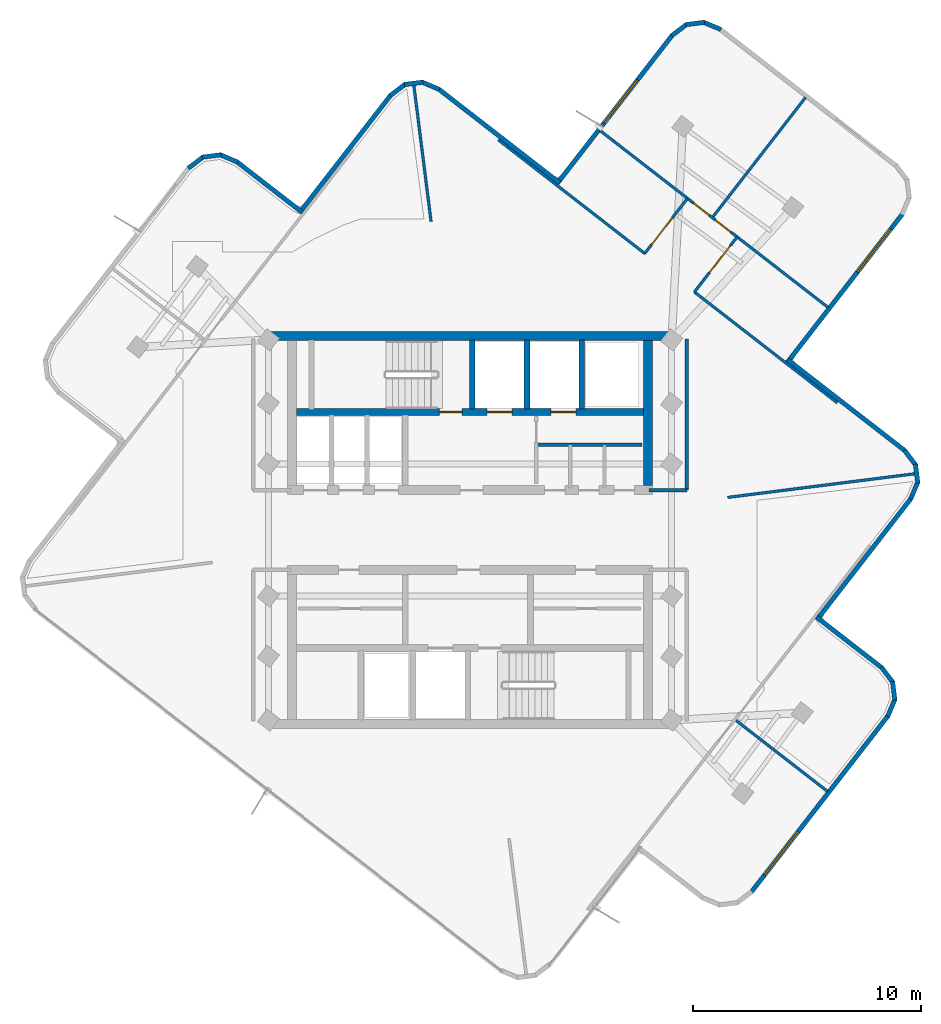
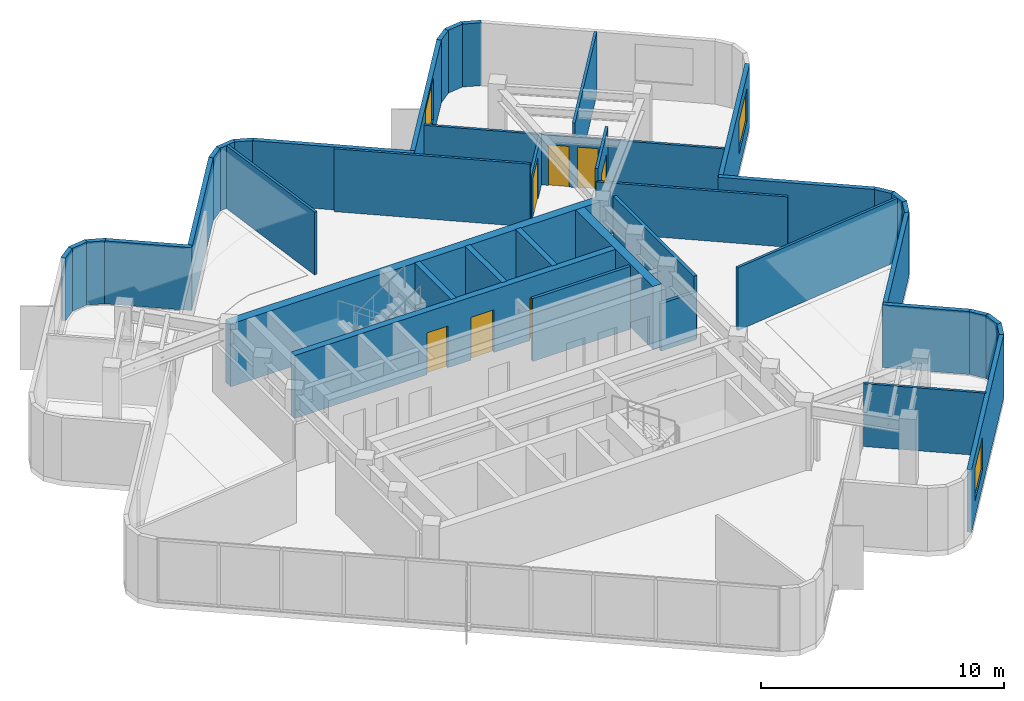
# One storey, part 7 of 10: 42 walls, 7 doors, 3 windows, 10 openings.
"""IFC4 building model written with IfcOpenShell, lengths in metres."""

import ifcopenshell
import ifcopenshell.guid

model = None  # the IFC model being written
_history = None  # IfcOwnerHistory: only IFC2X3 demands one
_inside = {}  # id of a spatial element -> (the spatial element, [elements in it])
_under = {}  # id of a project, library or spatial element -> (it, [spatial elements below it])
_declared = {}  # id of a project -> (the project, [libraries it declares])
_typed = {}  # id of a type object -> (the type object, [elements of that type])
_made_of = {}  # id of a material, layer set ... -> (it, [elements and type objects made of it])


def new_model(schema):
    """Start an empty IFC model of exactly this schema.

    Asked for "IFC4X3", IfcOpenShell would pick the latest addendum, in which some entities
    have other attributes; the version numbers below select the first issue.
    IFC2X3 requires an IfcOwnerHistory on every rooted entity: one is made here for all.
    """
    global model, _history
    if schema == "IFC4X3":
        model = ifcopenshell.file(schema_version=(4, 3, 0, 0))
    else:
        model = ifcopenshell.file(schema=schema)
    _inside.clear()
    _under.clear()
    _declared.clear()
    _typed.clear()
    _made_of.clear()
    _history = None
    if model.schema == "IFC2X3":
        org = make("IfcOrganization", Name="unknown")
        user = make(
            "IfcPersonAndOrganization",
            ThePerson=make("IfcPerson", FamilyName="unknown"),
            TheOrganization=org,
        )
        app = make(
            "IfcApplication",
            ApplicationDeveloper=org,
            Version="unknown",
            ApplicationFullName="unknown",
            ApplicationIdentifier="unknown",
        )
        _history = make(
            "IfcOwnerHistory",
            OwningUser=user,
            OwningApplication=app,
            ChangeAction="ADDED",
            CreationDate=0,
        )
    return model


def make(cls, **values):
    """One entity of the class cls with the attributes given. An attribute that is None is left unset."""
    return model.create_entity(
        cls, **{name: value for name, value in values.items() if value is not None}
    )


def rooted(cls, **values):
    """An entity with a GlobalId (a new one), such as an element, a storey or a relation."""
    return make(cls, GlobalId=ifcopenshell.guid.new(), OwnerHistory=_history, **values)


def si_unit(unit_type, name, prefix=None):
    """IfcSIUnit, for example si_unit("LENGTHUNIT", "METRE", prefix="MILLI")."""
    return make("IfcSIUnit", UnitType=unit_type, Prefix=prefix, Name=name)


def assignment(units):
    """IfcUnitAssignment: the units of a project."""
    return None if units is None else make("IfcUnitAssignment", Units=units)


def point(xyz):
    """IfcCartesianPoint."""
    return None if xyz is None else make("IfcCartesianPoint", Coordinates=xyz)


def direction(xyz):
    """IfcDirection."""
    return None if xyz is None else make("IfcDirection", DirectionRatios=xyz)


def frame(location, z_axis=None, x_axis=None):
    """IfcAxis2Placement3D, a coordinate frame: its origin and axes. An axis left out is left unset."""
    return make(
        "IfcAxis2Placement3D",
        Location=point(location),
        Axis=direction(z_axis),
        RefDirection=direction(x_axis),
    )


def frame_2d(location, x_axis=None):
    """IfcAxis2Placement2D, a coordinate frame in the plane: its origin and x axis."""
    return make(
        "IfcAxis2Placement2D", Location=point(location), RefDirection=direction(x_axis)
    )


def origin():
    """The frame at (0, 0, 0) with its axes left unset."""
    return frame((0.0, 0.0, 0.0))


def place(relative_to, where):
    """IfcLocalPlacement: puts the frame where relative to a parent placement (None: the world)."""
    return make(
        "IfcLocalPlacement", PlacementRelTo=relative_to, RelativePlacement=where
    )


def context(
    kind, dimensions, precision=None, world=None, true_north=None, identifier=None
):
    """IfcGeometricRepresentationContext, for example the 3D "Model" context."""
    return make(
        "IfcGeometricRepresentationContext",
        ContextIdentifier=identifier,
        ContextType=kind,
        CoordinateSpaceDimension=dimensions,
        Precision=precision,
        WorldCoordinateSystem=world,
        TrueNorth=true_north,
    )


def subcontext(parent, identifier, kind, view, scale=None):
    """IfcGeometricRepresentationSubContext, for example "Body" below "Model"."""
    return make(
        "IfcGeometricRepresentationSubContext",
        ContextIdentifier=identifier,
        ContextType=kind,
        ParentContext=parent,
        TargetScale=scale,
        TargetView=view,
    )


def project(units=None, contexts=None):
    """IfcProject with its units and contexts."""
    return rooted(
        "IfcProject",
        Name="project",
        RepresentationContexts=contexts,
        UnitsInContext=assignment(units),
    )


def spatial(cls, under=None, at=None, **own):
    """A site, building, storey or space (cls), placed at a placement, below another one or the project."""
    s = rooted(cls, ObjectPlacement=at, **own)
    if under is not None:
        _under.setdefault(under.id(), (under, []))[1].append(s)
    return s


def profile(cls, at=None, kind="AREA", **sizes):
    """A parametric profile (cls). Its sizes go by their IFC names, for example OverallWidth=200.0."""
    return make(cls, ProfileType=kind, Position=at, **sizes)


def rectangle(**sizes):
    """IfcRectangleProfileDef."""
    return profile("IfcRectangleProfileDef", **sizes)


def extrude(swept, where, along, depth):
    """IfcExtrudedAreaSolid: the profile swept, set in the frame where, extruded along a direction by depth."""
    return make(
        "IfcExtrudedAreaSolid",
        SweptArea=swept,
        Position=where,
        ExtrudedDirection=direction(along),
        Depth=depth,
    )


def shape(context_of_items, identifier, shape_type, items):
    """IfcShapeRepresentation: the items that make up one representation, for example the "Body"."""
    return make(
        "IfcShapeRepresentation",
        ContextOfItems=context_of_items,
        RepresentationIdentifier=identifier,
        RepresentationType=shape_type,
        Items=items,
    )


def material(Name=None, Category=None):
    """IfcMaterial."""
    return make("IfcMaterial", Name=Name, Category=Category)


def layer(
    of_material, thickness, ventilated=None, Name=None, Category=None, Priority=None
):
    """IfcMaterialLayer: one layer of a wall or slab, of a material (None: an air gap)."""
    return make(
        "IfcMaterialLayer",
        Material=of_material,
        LayerThickness=thickness,
        IsVentilated=ventilated,
        Name=Name,
        Category=Category,
        Priority=Priority,
    )


def layer_set(layers, Name=None):
    """IfcMaterialLayerSet."""
    return make("IfcMaterialLayerSet", MaterialLayers=layers, LayerSetName=Name)


def made_of(thing, what):
    """Note that an element or type object is made of a material, layer set ...; save() writes the relation."""
    if what is not None:
        _made_of.setdefault(what.id(), (what, []))[1].append(thing)
    return thing


def type_object(cls, material=None, **own):
    """A type object (cls), such as IfcWallType, which elements share."""
    return made_of(rooted(cls, **own), material)


def element(
    cls,
    number,
    at=None,
    inside=None,
    cuts=None,
    type_object=None,
    material=None,
    context=None,
    identifier="Body",
    shape_type=None,
    held_by="IfcProductDefinitionShape",
    body=None,
    shapes=None,
    **own,
):
    """One element of the class cls, such as IfcWall. Its Tag is "e" and its number.

    at: its placement. inside: the storey or other place that contains it. cuts: it is an
    opening in that element (IfcRelVoidsElement). A single representation is given by context,
    identifier, shape_type and body (its items); several are given by shapes. held_by: the class
    of the entity that holds the representations. save() writes the other relations.
    """
    e = rooted(cls, Tag="e%d" % number, ObjectPlacement=at, **own)
    if body is not None:
        shapes = [shape(context, identifier, shape_type, body)]
    if shapes is not None:
        e.Representation = make(held_by, Representations=shapes)
    if inside is not None:
        _inside.setdefault(inside.id(), (inside, []))[1].append(e)
    if cuts is not None:
        rooted(
            "IfcRelVoidsElement", RelatingBuildingElement=cuts, RelatedOpeningElement=e
        )
    if type_object is not None:
        _typed.setdefault(type_object.id(), (type_object, []))[1].append(e)
    return made_of(e, material)


def fill(opening, filler):
    """IfcRelFillsElement: the door or window that sits in an opening."""
    return rooted(
        "IfcRelFillsElement",
        RelatingOpeningElement=opening,
        RelatedBuildingElement=filler,
    )


def aggregate(whole, parts):
    """IfcRelAggregates: a whole, such as a stair, and the parts it consists of."""
    return rooted("IfcRelAggregates", RelatingObject=whole, RelatedObjects=parts)


def save(model, path):
    """Write the relations noted so far, then the file.

    IfcRelAggregates (storeys below a building ...), IfcRelContainedInSpatialStructure (elements
    in a storey), IfcRelDefinesByType, IfcRelAssociatesMaterial and IfcRelDeclares: one each for
    every whole, place, type object, material and project.
    """
    for whole, parts in _under.values():
        aggregate(whole, parts)
    for where, things in _inside.values():
        rooted(
            "IfcRelContainedInSpatialStructure",
            RelatedElements=things,
            RelatingStructure=where,
        )
    for kind, things in _typed.values():
        rooted("IfcRelDefinesByType", RelatedObjects=things, RelatingType=kind)
    for what, things in _made_of.values():
        rooted("IfcRelAssociatesMaterial", RelatedObjects=things, RelatingMaterial=what)
    for by, libraries in _declared.values():
        rooted("IfcRelDeclares", RelatingContext=by, RelatedDefinitions=libraries)
    model.write(path)


model = new_model("IFC4")

# Units and contexts
model_context = context("Model", 3, precision=1e-05, world=origin(), true_north=direction((0.0, 1.0)))
body_context = subcontext(model_context, "Body", "Model", "MODEL_VIEW")
ifc_project = project(units=[si_unit("LENGTHUNIT", "METRE"), si_unit("AREAUNIT", "SQUARE_METRE"), si_unit("VOLUMEUNIT", "CUBIC_METRE"), si_unit("PLANEANGLEUNIT", "RADIAN"), si_unit("MASSUNIT", "GRAM", prefix="KILO")], contexts=[model_context])

# Site, building, storey
site_placement = place(None, origin())
site = spatial("IfcSite", under=ifc_project, at=site_placement, CompositionType="ELEMENT")
building_placement = place(site_placement, origin())
building = spatial("IfcBuilding", under=site, at=building_placement, Name="Solmarez Civic Tower", CompositionType="ELEMENT")
storey_placement = place(building_placement, frame((0.0, 0.0, 257.760009765625)))
storey = spatial("IfcBuildingStorey", under=building, at=storey_placement, Name="L69", CompositionType="ELEMENT", Elevation=257.760009765625)

# Walls
ifc_material_1 = material(Name="Concrete C50/60", Category="concrete")
ifc_layer_1 = layer(ifc_material_1, 0.39990234375)
ifc_layer_set_1 = layer_set([ifc_layer_1], Name="Concrete C50/60")
wall_type_1 = type_object("IfcWallType", Name="WALL-CORE-400", PredefinedType="SHEAR", material=ifc_layer_set_1)
wall_1_placement = place(storey_placement, frame((-8.780029296875, 8.510009765625, 0.0), z_axis=(0.0, 0.0, 1.0), x_axis=(1.0, 0.0, 0.0)))
element("IfcWall", 1, at=wall_1_placement, inside=storey, type_object=wall_type_1, Name="L69 Split-Core Structural Wall NCW-N-L69", PredefinedType="SHEAR", context=body_context, shape_type="SweptSolid", body=[
    extrude(rectangle(XDim=17.56005859375, YDim=0.39990234375, at=frame_2d((8.780029296875, 0.0))), origin(), (0.0, 0.0, 1.0), 3.159912109375),
])
wall_2_placement = place(storey_placement, frame((7.820068359375, 8.31005859375, 0.0), z_axis=(0.0, 0.0, 1.0), x_axis=(0.0, -1.0, 0.0)))
element("IfcWall", 2, at=wall_2_placement, inside=storey, type_object=wall_type_1, Name="L69 Split-Core Structural Wall NCW-E-L69", PredefinedType="SHEAR", context=body_context, shape_type="SweptSolid", body=[
    extrude(rectangle(XDim=6.360107421875, YDim=0.39990234375, at=frame_2d((3.18017578125, 0.0))), origin(), (0.0, 0.0, 1.0), 3.159912109375),
])
ifc_material_2 = material(Name="Precast concrete C40/50", Category="concrete")
ifc_layer_2 = layer(ifc_material_2, 0.199951171875)
ifc_layer_set_2 = layer_set([ifc_layer_2], Name="Precast concrete C40/50")
wall_type_2 = type_object("IfcWallType", Name="WALL-EXT-200", PredefinedType="SOLIDWALL", material=ifc_layer_set_2)
wall_3_placement = place(storey_placement, frame((-12.3720703125, 15.876953125, 0.0), z_axis=(0.0, 0.0, 1.0), x_axis=(0.796493049564, 0.60464768419, 0.0)))
element("IfcWall", 3, at=wall_3_placement, inside=storey, type_object=wall_type_2, Name="L69 Exterior Precast Wall 18", PredefinedType="SOLIDWALL", context=body_context, shape_type="SweptSolid", body=[
    extrude(rectangle(XDim=0.838623046875, YDim=0.199951171875, at=frame_2d((0.41943359375, 0.0))), origin(), (0.0, 0.0, 1.0), 3.159912109375),
])
wall_4_placement = place(storey_placement, frame((-11.7490234375, 16.365966796875, 0.0), z_axis=(0.0, 0.0, 1.0), x_axis=(0.992182038023, 0.124799052175, 0.0)))
element("IfcWall", 4, at=wall_4_placement, inside=storey, type_object=wall_type_2, Name="L69 Exterior Precast Wall 19", PredefinedType="SOLIDWALL", context=body_context, shape_type="SweptSolid", body=[
    extrude(rectangle(XDim=0.825439453125, YDim=0.199951171875, at=frame_2d((0.41259765625, 0.0))), origin(), (0.0, 0.0, 1.0), 3.159912109375),
])
wall_5_placement = place(storey_placement, frame((-10.97802734375, 16.47607421875, 0.0), z_axis=(0.0, 0.0, 1.0), x_axis=(0.921328331513, -0.388785423532, 0.0)))
element("IfcWall", 5, at=wall_5_placement, inside=storey, type_object=wall_type_2, Name="L69 Exterior Precast Wall 20", PredefinedType="SOLIDWALL", context=body_context, shape_type="SweptSolid", body=[
    extrude(rectangle(XDim=0.8388671875, YDim=0.199951171875, at=frame_2d((0.41943359375, 0.0))), origin(), (0.0, 0.0, 1.0), 3.159912109375),
])
wall_6_placement = place(storey_placement, frame((-10.248046875, 16.175048828125, 0.0), z_axis=(0.0, 0.0, 1.0), x_axis=(0.790239683444, -0.612797880797, 0.0)))
element("IfcWall", 6, at=wall_6_placement, inside=storey, type_object=wall_type_2, Name="L69 Exterior Precast Wall 21", PredefinedType="SOLIDWALL", context=body_context, shape_type="SweptSolid", body=[
    extrude(rectangle(XDim=3.640625, YDim=0.199951171875, at=frame_2d((1.8203125, 0.0))), origin(), (0.0, 0.0, 1.0), 3.159912109375),
])
wall_7_placement = place(storey_placement, frame((-7.48291015625, 13.929931640625, 0.0), z_axis=(0.0, 0.0, 1.0), x_axis=(0.612826373036, 0.790217588081, 0.0)))
element("IfcWall", 7, at=wall_7_placement, inside=storey, type_object=wall_type_2, Name="L69 Exterior Precast Wall 24", PredefinedType="SOLIDWALL", context=body_context, shape_type="SweptSolid", body=[
    extrude(rectangle(XDim=6.54150390625, YDim=0.199951171875, at=frame_2d((3.270751953125, 0.0))), origin(), (0.0, 0.0, 1.0), 3.159912109375),
])
wall_8_placement = place(storey_placement, frame((-3.509033203125, 19.06396484375, 0.0), z_axis=(0.0, 0.0, 1.0), x_axis=(0.797053904317, 0.603908166539, 0.0)))
element("IfcWall", 8, at=wall_8_placement, inside=storey, type_object=wall_type_2, Name="L69 Exterior Precast Wall 25", PredefinedType="SOLIDWALL", context=body_context, shape_type="SweptSolid", body=[
    extrude(rectangle(XDim=0.838134765625, YDim=0.199951171875, at=frame_2d((0.4189453125, 0.0))), origin(), (0.0, 0.0, 1.0), 3.159912109375),
])
wall_9_placement = place(storey_placement, frame((-2.885986328125, 19.552001953125, 0.0), z_axis=(0.0, 0.0, 1.0), x_axis=(0.992182038023, 0.124799052175, 0.0)))
element("IfcWall", 9, at=wall_9_placement, inside=storey, type_object=wall_type_2, Name="L69 Exterior Precast Wall 26", PredefinedType="SOLIDWALL", context=body_context, shape_type="SweptSolid", body=[
    extrude(rectangle(XDim=0.825439453125, YDim=0.199951171875, at=frame_2d((0.41259765625, 0.0))), origin(), (0.0, 0.0, 1.0), 3.159912109375),
])
wall_10_placement = place(storey_placement, frame((-2.114990234375, 19.662109375, 0.0), z_axis=(0.0, 0.0, 1.0), x_axis=(0.921569528133, -0.388213349612, 0.0)))
element("IfcWall", 10, at=wall_10_placement, inside=storey, type_object=wall_type_2, Name="L69 Exterior Precast Wall 27", PredefinedType="SOLIDWALL", context=body_context, shape_type="SweptSolid", body=[
    extrude(rectangle(XDim=0.837646484375, YDim=0.199951171875, at=frame_2d((0.4189453125, 0.0))), origin(), (0.0, 0.0, 1.0), 3.159912109375),
])
wall_11_placement = place(storey_placement, frame((-1.385986328125, 19.362060546875, 0.0), z_axis=(0.0, 0.0, 1.0), x_axis=(0.790076990755, -0.613007625303, 0.0)))
element("IfcWall", 11, at=wall_11_placement, inside=storey, type_object=wall_type_2, Name="L69 Exterior Precast Wall 28", PredefinedType="SOLIDWALL", context=body_context, shape_type="SweptSolid", body=[
    extrude(rectangle(XDim=6.7421875, YDim=0.199951171875, at=frame_2d((3.37109375, 0.0))), origin(), (0.0, 0.0, 1.0), 3.159912109375),
])

# Wall, opening, window
wall_12_placement = place(storey_placement, frame((3.8291015625, 15.215087890625, 0.0), z_axis=(0.0, 0.0, 1.0), x_axis=(0.612910709336, 0.790152176724, 0.0)))
wall_12 = element("IfcWall", 12, at=wall_12_placement, inside=storey, type_object=wall_type_2, Name="L69 Exterior Precast Wall 31", PredefinedType="SOLIDWALL", context=body_context, shape_type="SweptSolid", body=[
    extrude(rectangle(XDim=8.24267578125, YDim=0.199951171875, at=frame_2d((4.121337890625, 0.0))), origin(), (0.0, 0.0, 1.0), 3.159912109375),
])
opening_1_placement = place(wall_12_placement, frame((3.35009765625, 0.0, 0.85009765625)))
opening_1 = element("IfcOpeningElement", 13, at=opening_1_placement, cuts=wall_12, Name="Opening W-02", PredefinedType="OPENING", context=body_context, shape_type="SweptSolid", body=[
    extrude(rectangle(XDim=2.39990234375, YDim=2.10009765625, at=frame_2d((1.199951171875, 1.050048828125))), frame((0.0, 0.10986328125, 0.0), z_axis=(0.0, -1.0, 0.0), x_axis=(1.0, 0.0, 0.0)), (0.0, 0.0, 1.0), 0.219970703125),
])
ifc_material_3 = material(Name="Solar Control Bronze-Tinted Insulating Glass", Category="glass")
window_type_1 = type_object("IfcWindowType", Name="WIN-2400X2100", PartitioningType="SINGLE_PANEL", PredefinedType="WINDOW", material=ifc_material_3)
window_1_placement = place(opening_1_placement, origin())
window_1 = element("IfcWindow", 14, at=window_1_placement, inside=storey, type_object=window_type_1, Name="L69 Exterior Facade Window 31", OverallHeight=2.10009765625, OverallWidth=2.39990234375, PartitioningType="SINGLE_PANEL", PredefinedType="WINDOW", context=body_context, shape_type="SweptSolid", body=[
    extrude(rectangle(XDim=2.39990234375, YDim=2.10009765625, at=frame_2d((1.199951171875, 1.050048828125))), frame((0.0, 0.030029296875, 0.0), z_axis=(0.0, -1.0, 0.0), x_axis=(1.0, 0.0, 0.0)), (0.0, 0.0, 1.0), 0.06005859375),
])
fill(opening_1, window_1)

# Walls
wall_13_placement = place(storey_placement, frame((8.845947265625, 21.693115234375, 0.0), z_axis=(0.0, 0.0, 1.0), x_axis=(0.796633253556, 0.604462951163, 0.0)))
element("IfcWall", 15, at=wall_13_placement, inside=storey, type_object=wall_type_2, Name="L69 Exterior Precast Wall 32", PredefinedType="SOLIDWALL", context=body_context, shape_type="SweptSolid", body=[
    extrude(rectangle(XDim=0.83837890625, YDim=0.199951171875, at=frame_2d((0.419189453125, 0.0))), origin(), (0.0, 0.0, 1.0), 3.159912109375),
])
wall_14_placement = place(storey_placement, frame((9.468994140625, 22.181884765625, 0.0), z_axis=(0.0, 0.0, 1.0), x_axis=(0.992163581644, 0.124945697241, 0.0)))
element("IfcWall", 16, at=wall_14_placement, inside=storey, type_object=wall_type_2, Name="L69 Exterior Precast Wall 33", PredefinedType="SOLIDWALL", context=body_context, shape_type="SweptSolid", body=[
    extrude(rectangle(XDim=0.824462890625, YDim=0.199951171875, at=frame_2d((0.412109375, 0.0))), origin(), (0.0, 0.0, 1.0), 3.159912109375),
])
wall_15_placement = place(storey_placement, frame((10.239013671875, 22.2919921875, 0.0), z_axis=(0.0, 0.0, 1.0), x_axis=(0.92184898946, -0.387549275101, 0.0)))
element("IfcWall", 17, at=wall_15_placement, inside=storey, type_object=wall_type_2, Name="L69 Exterior Precast Wall 34", PredefinedType="SOLIDWALL", context=body_context, shape_type="SweptSolid", body=[
    extrude(rectangle(XDim=0.83837890625, YDim=0.199951171875, at=frame_2d((0.419189453125, 0.0))), origin(), (0.0, 0.0, 1.0), 3.159912109375),
])

# Wall, opening, window
wall_16_placement = place(storey_placement, frame((18.9951171875, 13.883056640625, 0.0), z_axis=(0.0, 0.0, 1.0), x_axis=(-0.612894114019, -0.790165049215, 0.0)))
wall_16 = element("IfcWall", 18, at=wall_16_placement, inside=storey, type_object=wall_type_2, Name="L69 Exterior Precast Wall 39", PredefinedType="SOLIDWALL", context=body_context, shape_type="SweptSolid", body=[
    extrude(rectangle(XDim=8.2412109375, YDim=0.199951171875, at=frame_2d((4.12060546875, 0.0))), origin(), (0.0, 0.0, 1.0), 3.159912109375),
])
opening_2_placement = place(wall_16_placement, frame((0.85009765625, 0.0, 0.85009765625)))
opening_2 = element("IfcOpeningElement", 19, at=opening_2_placement, cuts=wall_16, Name="Opening W-10", PredefinedType="OPENING", context=body_context, shape_type="SweptSolid", body=[
    extrude(rectangle(XDim=2.39990234375, YDim=1.64990234375, at=frame_2d((1.199951171875, 0.824951171875))), frame((0.0, 0.10986328125, 0.0), z_axis=(0.0, -1.0, 0.0), x_axis=(1.0, 0.0, 0.0)), (0.0, 0.0, 1.0), 0.219970703125),
])
window_type_2 = type_object("IfcWindowType", Name="WIN-2400X1650", PartitioningType="SINGLE_PANEL", PredefinedType="WINDOW", material=ifc_material_3)
window_2_placement = place(opening_2_placement, origin())
window_2 = element("IfcWindow", 20, at=window_2_placement, inside=storey, type_object=window_type_2, Name="L69 Exterior Facade Window 39", OverallHeight=1.64990234375, OverallWidth=2.39990234375, PartitioningType="SINGLE_PANEL", PredefinedType="WINDOW", context=body_context, shape_type="SweptSolid", body=[
    extrude(rectangle(XDim=2.39990234375, YDim=1.64990234375, at=frame_2d((1.199951171875, 0.824951171875))), frame((0.0, 0.030029296875, 0.0), z_axis=(0.0, -1.0, 0.0), x_axis=(1.0, 0.0, 0.0)), (0.0, 0.0, 1.0), 0.06005859375),
])
fill(opening_2, window_2)

# Walls
wall_17_placement = place(storey_placement, frame((13.929931640625, 7.48291015625, 0.0), z_axis=(0.0, 0.0, 1.0), x_axis=(0.790217588081, -0.612826373036, 0.0)))
element("IfcWall", 21, at=wall_17_placement, inside=storey, type_object=wall_type_2, Name="L69 Exterior Precast Wall 42", PredefinedType="SOLIDWALL", context=body_context, shape_type="SweptSolid", body=[
    extrude(rectangle(XDim=6.54150390625, YDim=0.199951171875, at=frame_2d((3.270751953125, 0.0))), origin(), (0.0, 0.0, 1.0), 3.159912109375),
])
wall_18_placement = place(storey_placement, frame((19.06396484375, 3.509033203125, 0.0), z_axis=(0.0, 0.0, 1.0), x_axis=(0.603908166539, -0.797053904317, 0.0)))
element("IfcWall", 22, at=wall_18_placement, inside=storey, type_object=wall_type_2, Name="L69 Exterior Precast Wall 43", PredefinedType="SOLIDWALL", context=body_context, shape_type="SweptSolid", body=[
    extrude(rectangle(XDim=0.838134765625, YDim=0.199951171875, at=frame_2d((0.4189453125, 0.0))), origin(), (0.0, 0.0, 1.0), 3.159912109375),
])
wall_19_placement = place(storey_placement, frame((19.552001953125, 2.885986328125, 0.0), z_axis=(0.0, 0.0, 1.0), x_axis=(0.124799052175, -0.992182038023, 0.0)))
element("IfcWall", 23, at=wall_19_placement, inside=storey, type_object=wall_type_2, Name="L69 Exterior Precast Wall 44", PredefinedType="SOLIDWALL", context=body_context, shape_type="SweptSolid", body=[
    extrude(rectangle(XDim=0.825439453125, YDim=0.199951171875, at=frame_2d((0.41259765625, 0.0))), origin(), (0.0, 0.0, 1.0), 3.159912109375),
])
wall_20_placement = place(storey_placement, frame((19.662109375, 2.114990234375, 0.0), z_axis=(0.0, 0.0, 1.0), x_axis=(-0.388213349612, -0.921569528133, 0.0)))
element("IfcWall", 24, at=wall_20_placement, inside=storey, type_object=wall_type_2, Name="L69 Exterior Precast Wall 45", PredefinedType="SOLIDWALL", context=body_context, shape_type="SweptSolid", body=[
    extrude(rectangle(XDim=0.837646484375, YDim=0.199951171875, at=frame_2d((0.4189453125, 0.0))), origin(), (0.0, 0.0, 1.0), 3.159912109375),
])
wall_21_placement = place(storey_placement, frame((19.362060546875, 1.385986328125, 0.0), z_axis=(0.0, 0.0, 1.0), x_axis=(-0.613007625303, -0.790076990755, 0.0)))
element("IfcWall", 25, at=wall_21_placement, inside=storey, type_object=wall_type_2, Name="L69 Exterior Precast Wall 46", PredefinedType="SOLIDWALL", context=body_context, shape_type="SweptSolid", body=[
    extrude(rectangle(XDim=6.7421875, YDim=0.199951171875, at=frame_2d((3.37109375, 0.0))), origin(), (0.0, 0.0, 1.0), 3.159912109375),
])
wall_22_placement = place(storey_placement, frame((15.215087890625, -3.8291015625, 0.0), z_axis=(0.0, 0.0, 1.0), x_axis=(0.790311198889, -0.612705646221, 0.0)))
element("IfcWall", 26, at=wall_22_placement, inside=storey, type_object=wall_type_2, Name="L69 Exterior Precast Wall 49", PredefinedType="SOLIDWALL", context=body_context, shape_type="SweptSolid", body=[
    extrude(rectangle(XDim=3.642822265625, YDim=0.199951171875, at=frame_2d((1.8212890625, 0.0))), origin(), (0.0, 0.0, 1.0), 3.159912109375),
])
wall_23_placement = place(storey_placement, frame((18.05908203125, -6.02587890625, 0.0), z_axis=(0.0, 0.0, 1.0), x_axis=(0.603582833373, -0.797300296787, 0.0)))
element("IfcWall", 27, at=wall_23_placement, inside=storey, type_object=wall_type_2, Name="L69 Exterior Precast Wall 50", PredefinedType="SOLIDWALL", context=body_context, shape_type="SweptSolid", body=[
    extrude(rectangle(XDim=0.838134765625, YDim=0.199951171875, at=frame_2d((0.4189453125, 0.0))), origin(), (0.0, 0.0, 1.0), 3.159912109375),
])
wall_24_placement = place(storey_placement, frame((18.547119140625, -6.64892578125, 0.0), z_axis=(0.0, 0.0, 1.0), x_axis=(0.124507909692, -0.992218615238, 0.0)))
element("IfcWall", 28, at=wall_24_placement, inside=storey, type_object=wall_type_2, Name="L69 Exterior Precast Wall 51", PredefinedType="SOLIDWALL", context=body_context, shape_type="SweptSolid", body=[
    extrude(rectangle(XDim=0.825439453125, YDim=0.199951171875, at=frame_2d((0.41259765625, 0.0))), origin(), (0.0, 0.0, 1.0), 3.159912109375),
])
wall_25_placement = place(storey_placement, frame((18.656982421875, -7.419921875, 0.0), z_axis=(0.0, 0.0, 1.0), x_axis=(-0.387965780676, -0.921673777985, 0.0)))
element("IfcWall", 29, at=wall_25_placement, inside=storey, type_object=wall_type_2, Name="L69 Exterior Precast Wall 52", PredefinedType="SOLIDWALL", context=body_context, shape_type="SweptSolid", body=[
    extrude(rectangle(XDim=0.837646484375, YDim=0.199951171875, at=frame_2d((0.4189453125, 0.0))), origin(), (0.0, 0.0, 1.0), 3.159912109375),
])

# Wall, opening, window
wall_26_placement = place(storey_placement, frame((18.35693359375, -8.14892578125, 0.0), z_axis=(0.0, 0.0, 1.0), x_axis=(-0.612797548915, -0.790239940806, 0.0)))
wall_26 = element("IfcWall", 30, at=wall_26_placement, inside=storey, type_object=wall_type_2, Name="L69 Exterior Precast Wall 53", PredefinedType="SOLIDWALL", context=body_context, shape_type="SweptSolid", body=[
    extrude(rectangle(XDim=9.82373046875, YDim=0.199951171875, at=frame_2d((4.911865234375, 0.0))), origin(), (0.0, 0.0, 1.0), 3.159912109375),
])
opening_3_placement = place(wall_26_placement, frame((6.4619140625, 0.0, 0.85009765625)))
opening_3 = element("IfcOpeningElement", 31, at=opening_3_placement, cuts=wall_26, Name="Opening W-10", PredefinedType="OPENING", context=body_context, shape_type="SweptSolid", body=[
    extrude(rectangle(XDim=2.39990234375, YDim=1.64990234375, at=frame_2d((1.199951171875, 0.824951171875))), frame((0.0, 0.10986328125, 0.0), z_axis=(0.0, -1.0, 0.0), x_axis=(1.0, 0.0, 0.0)), (0.0, 0.0, 1.0), 0.219970703125),
])
window_3_placement = place(opening_3_placement, origin())
window_3 = element("IfcWindow", 32, at=window_3_placement, inside=storey, type_object=window_type_2, Name="L69 Exterior Facade Window 53", OverallHeight=1.64990234375, OverallWidth=2.39990234375, PartitioningType="SINGLE_PANEL", PredefinedType="WINDOW", context=body_context, shape_type="SweptSolid", body=[
    extrude(rectangle(XDim=2.39990234375, YDim=1.64990234375, at=frame_2d((1.199951171875, 0.824951171875))), frame((0.0, 0.030029296875, 0.0), z_axis=(0.0, -1.0, 0.0), x_axis=(1.0, 0.0, 0.0)), (0.0, 0.0, 1.0), 0.06005859375),
])
fill(opening_3, window_3)

# Walls
ifc_material_4 = material(Name="Gypsum Board Acoustic Steel-Stud Partition", Category="steel")
ifc_layer_3 = layer(ifc_material_4, 0.14990234375)
ifc_layer_set_3 = layer_set([ifc_layer_3], Name="Gypsum Board Acoustic Steel-Stud Partition")
wall_type_3 = type_object("IfcWallType", Name="WALL-INT-FIRE-150", PredefinedType="PARTITIONING", material=ifc_layer_set_3)
wall_27_placement = place(storey_placement, frame((9.52001953125, 1.75, 0.0), z_axis=(0.0, 0.0, 1.0), x_axis=(0.0, 1.0, 0.0)))
element("IfcWall", 33, at=wall_27_placement, inside=storey, type_object=wall_type_3, Name="L69 Interior Partition CHW-L69-EN1", PredefinedType="PARTITIONING", context=body_context, shape_type="SweptSolid", body=[
    extrude(rectangle(XDim=6.6298828125, YDim=0.14990234375, at=frame_2d((3.31494140625, 0.0))), origin(), (0.0, 0.0, 1.0), 3.159912109375),
])
wall_28_placement = place(storey_placement, frame((7.85009765625, 1.75, 0.0), z_axis=(0.0, 0.0, 1.0), x_axis=(1.0, 0.0, 0.0)))
element("IfcWall", 34, at=wall_28_placement, inside=storey, type_object=wall_type_3, Name="L69 Interior Partition CHW-L69-EN3", PredefinedType="PARTITIONING", context=body_context, shape_type="SweptSolid", body=[
    extrude(rectangle(XDim=1.669921875, YDim=0.14990234375, at=frame_2d((0.8349609375, 0.0))), origin(), (0.0, 0.0, 1.0), 2.389892578125),
])
ifc_layer_4 = layer(ifc_material_4, 0.1201171875)
ifc_layer_set_4 = layer_set([ifc_layer_4], Name="Gypsum Board Acoustic Steel-Stud Partition")
wall_type_4 = type_object("IfcWallType", Name="WALL-INT-PART-120", PredefinedType="PARTITIONING", material=ifc_layer_set_4)
wall_29_placement = place(storey_placement, frame((-1.7109375, 13.5400390625, 0.0), z_axis=(0.0, 0.0, 1.0), x_axis=(-0.125366398214, 0.992110511082, 0.0)))
element("IfcWall", 35, at=wall_29_placement, inside=storey, type_object=wall_type_4, Name="L69 Interior Partition PT-L69-QDIV-1", PredefinedType="PARTITIONING", context=body_context, shape_type="SweptSolid", body=[
    extrude(rectangle(XDim=6.046630859375, YDim=0.1201171875, at=frame_2d((3.0234375, 0.0))), origin(), (0.0, 0.0, 1.0), 3.159912109375),
])
wall_30_placement = place(storey_placement, frame((11.31005859375, 1.428955078125, 0.0), z_axis=(0.0, 0.0, 1.0), x_axis=(0.992107592132, 0.125389495712, 0.0)))
element("IfcWall", 36, at=wall_30_placement, inside=storey, type_object=wall_type_4, Name="L69 Interior Partition PT-L69-QDIV-4", PredefinedType="PARTITIONING", context=body_context, shape_type="SweptSolid", body=[
    extrude(rectangle(XDim=8.29443359375, YDim=0.1201171875, at=frame_2d((4.147216796875, 0.0))), origin(), (0.0, 0.0, 1.0), 3.159912109375),
])
wall_31_placement = place(storey_placement, frame((7.676025390625, 12.131103515625, 0.0), z_axis=(0.0, 0.0, 1.0), x_axis=(-0.790137186805, 0.61293003355, 0.0)))
element("IfcWall", 37, at=wall_31_placement, inside=storey, type_object=wall_type_4, Name="L69 Interior Partition PT-L69-E-EFL", PredefinedType="PARTITIONING", context=body_context, shape_type="SweptSolid", body=[
    extrude(rectangle(XDim=8.149169921875, YDim=0.1201171875, at=frame_2d((4.07470703125, 0.0))), origin(), (0.0, 0.0, 1.0), 3.159912109375),
])
wall_32_placement = place(storey_placement, frame((16.1220703125, 5.577880859375, 0.0), z_axis=(0.0, 0.0, 1.0), x_axis=(-0.7900346363, 0.613062210094, 0.0)))
element("IfcWall", 38, at=wall_32_placement, inside=storey, type_object=wall_type_4, Name="L69 Interior Partition PT-L69-E-EFR", PredefinedType="PARTITIONING", context=body_context, shape_type="SweptSolid", body=[
    extrude(rectangle(XDim=7.9501953125, YDim=0.1201171875, at=frame_2d((3.97509765625, 0.0))), origin(), (0.0, 0.0, 1.0), 2.530029296875),
])

# Wall, opening, door
wall_33_placement = place(storey_placement, frame((9.5439453125, 14.554931640625, 0.0), z_axis=(0.0, 0.0, 1.0), x_axis=(-0.612990234131, -0.79009048397, 0.0)))
wall_33 = element("IfcWall", 39, at=wall_33_placement, inside=storey, type_object=wall_type_4, Name="L69 Interior Partition PT-L69-E-SL", PredefinedType="PARTITIONING", context=body_context, shape_type="SweptSolid", body=[
    extrude(rectangle(XDim=3.060302734375, YDim=0.1201171875, at=frame_2d((1.5302734375, 0.0))), origin(), (0.0, 0.0, 1.0), 2.530029296875),
])
opening_4_placement = place(wall_33_placement, frame((1.080078125, 0.0, 0.0)))
opening_4 = element("IfcOpeningElement", 40, at=opening_4_placement, cuts=wall_33, Name="Opening D-16", PredefinedType="OPENING", context=body_context, shape_type="SweptSolid", body=[
    extrude(rectangle(XDim=1.5, YDim=2.1201171875, at=frame_2d((0.75, 1.06005859375))), frame((0.0, 0.070068359375, 0.0), z_axis=(0.0, -1.0, 0.0), x_axis=(1.0, 0.0, 0.0)), (0.0, 0.0, 1.0), 0.14013671875),
])
ifc_material_5 = material(Name="Diplomatic Protocol Reception Door", Category="wood")
door_type_1 = type_object("IfcDoorType", Name="DOOR-INT-1500", OperationType="NOTDEFINED", PredefinedType="DOOR", material=ifc_material_5)
door_1_placement = place(opening_4_placement, origin())
door_1 = element("IfcDoor", 41, at=door_1_placement, inside=storey, type_object=door_type_1, Name="L69 Executive Chamber Wellness Fitness Room East Door", OperationType="SINGLE_SWING_LEFT", OverallHeight=2.1201171875, OverallWidth=1.5, PredefinedType="DOOR", context=body_context, shape_type="SweptSolid", body=[
    extrude(rectangle(XDim=1.5, YDim=2.1201171875, at=frame_2d((0.75, 1.06005859375))), frame((0.0, 0.02490234375, 0.0), z_axis=(0.0, -1.0, 0.0), x_axis=(1.0, 0.0, 0.0)), (0.0, 0.0, 1.0), 0.050048828125),
])
fill(opening_4, door_1)

wall_34_placement = place(storey_placement, frame((9.84912109375, 10.446044921875, 0.0), z_axis=(0.0, 0.0, 1.0), x_axis=(0.612945563076, 0.790125139902, 0.0)))
wall_34 = element("IfcWall", 42, at=wall_34_placement, inside=storey, type_object=wall_type_4, Name="L69 Interior Partition PT-L69-E-SR", PredefinedType="PARTITIONING", context=body_context, shape_type="SweptSolid", body=[
    extrude(rectangle(XDim=3.05908203125, YDim=0.1201171875, at=frame_2d((1.529541015625, 0.0))), origin(), (0.0, 0.0, 1.0), 3.159912109375),
])
opening_5_placement = place(wall_34_placement, frame((1.080078125, 0.0, 0.0)))
opening_5 = element("IfcOpeningElement", 43, at=opening_5_placement, cuts=wall_34, Name="Opening D-16", PredefinedType="OPENING", context=body_context, shape_type="SweptSolid", body=[
    extrude(rectangle(XDim=1.5, YDim=2.1201171875, at=frame_2d((0.75, 1.06005859375))), frame((0.0, 0.070068359375, 0.0), z_axis=(0.0, -1.0, 0.0), x_axis=(1.0, 0.0, 0.0)), (0.0, 0.0, 1.0), 0.14013671875),
])
door_2_placement = place(opening_5_placement, origin())
door_2 = element("IfcDoor", 44, at=door_2_placement, inside=storey, type_object=door_type_1, Name="L69 Citizen Legal Clinic East Door", OperationType="SINGLE_SWING_RIGHT", OverallHeight=2.1201171875, OverallWidth=1.5, PredefinedType="DOOR", context=body_context, shape_type="SweptSolid", body=[
    extrude(rectangle(XDim=1.5, YDim=2.1201171875, at=frame_2d((0.75, 1.06005859375))), frame((0.0, 0.02490234375, 0.0), z_axis=(0.0, -1.0, 0.0), x_axis=(1.0, 0.0, 0.0)), (0.0, 0.0, 1.0), 0.050048828125),
])
fill(opening_5, door_2)

# Wall
wall_35_placement = place(storey_placement, frame((10.6708984375, 13.757080078125, 0.0), z_axis=(0.0, 0.0, 1.0), x_axis=(0.61292966537, 0.790137472412, 0.0)))
element("IfcWall", 45, at=wall_35_placement, inside=storey, type_object=wall_type_4, Name="L69 Interior Partition PT-L69-E-TM", PredefinedType="PARTITIONING", context=body_context, shape_type="SweptSolid", body=[
    extrude(rectangle(XDim=6.6240234375, YDim=0.1201171875, at=frame_2d((3.31201171875, 0.0))), origin(), (0.0, 0.0, 1.0), 3.159912109375),
])

# Wall, openings, doors
wall_36_placement = place(storey_placement, frame((5.70703125, 17.531005859375, 0.0), z_axis=(0.0, 0.0, 1.0), x_axis=(0.790153529347, -0.612908965557, 0.0)))
wall_36 = element("IfcWall", 46, at=wall_36_placement, inside=storey, type_object=wall_type_4, Name="L69 Interior Partition PT-L69-E-END", PredefinedType="PARTITIONING", context=body_context, shape_type="SweptSolid", body=[
    extrude(rectangle(XDim=12.6708984375, YDim=0.1201171875, at=frame_2d((6.33544921875, 0.0))), origin(), (0.0, 0.0, 1.0), 2.530029296875),
])
opening_6_placement = place(wall_36_placement, frame((6.405029296875, 0.0, 0.0)))
opening_6 = element("IfcOpeningElement", 47, at=opening_6_placement, cuts=wall_36, Name="Opening D-14", PredefinedType="OPENING", context=body_context, shape_type="SweptSolid", body=[
    extrude(rectangle(XDim=0.860107421875, YDim=2.0400390625, at=frame_2d((0.43017578125, 1.02001953125))), frame((0.0, 0.070068359375, 0.0), z_axis=(0.0, -1.0, 0.0), x_axis=(1.0, 0.0, 0.0)), (0.0, 0.0, 1.0), 0.14013671875),
])
opening_7_placement = place(wall_36_placement, frame((5.205078125, 0.0, 0.0)))
opening_7 = element("IfcOpeningElement", 48, at=opening_7_placement, cuts=wall_36, Name="Opening D-14", PredefinedType="OPENING", context=body_context, shape_type="SweptSolid", body=[
    extrude(rectangle(XDim=0.860107421875, YDim=2.0400390625, at=frame_2d((0.43017578125, 1.02001953125))), frame((0.0, 0.070068359375, 0.0), z_axis=(0.0, -1.0, 0.0), x_axis=(1.0, 0.0, 0.0)), (0.0, 0.0, 1.0), 0.14013671875),
])
ifc_material_6 = material(Name="Timber Storage and Pantry Door", Category="wood")
door_type_2 = type_object("IfcDoorType", Name="DOOR-INT-850", OperationType="NOTDEFINED", PredefinedType="DOOR", material=ifc_material_6)
door_3_placement = place(opening_6_placement, origin())
door_3 = element("IfcDoor", 49, at=door_3_placement, inside=storey, type_object=door_type_2, Name="L69 Delegates Study Lounge Sixth East Door", OperationType="SINGLE_SWING_RIGHT", OverallHeight=2.0400390625, OverallWidth=0.860107421875, PredefinedType="DOOR", context=body_context, shape_type="SweptSolid", body=[
    extrude(rectangle(XDim=0.860107421875, YDim=2.0400390625, at=frame_2d((0.43017578125, 1.02001953125))), frame((0.0, 0.02490234375, 0.0), z_axis=(0.0, -1.0, 0.0), x_axis=(1.0, 0.0, 0.0)), (0.0, 0.0, 1.0), 0.050048828125),
])
fill(opening_6, door_3)
door_4_placement = place(opening_7_placement, origin())
door_4 = element("IfcDoor", 50, at=door_4_placement, inside=storey, type_object=door_type_2, Name="L69 Public Reading Room Fifth East Door", OperationType="SINGLE_SWING_LEFT", OverallHeight=2.0400390625, OverallWidth=0.860107421875, PredefinedType="DOOR", context=body_context, shape_type="SweptSolid", body=[
    extrude(rectangle(XDim=0.860107421875, YDim=2.0400390625, at=frame_2d((0.43017578125, 1.02001953125))), frame((0.0, 0.02490234375, 0.0), z_axis=(0.0, -1.0, 0.0), x_axis=(1.0, 0.0, 0.0)), (0.0, 0.0, 1.0), 0.050048828125),
])
fill(opening_7, door_4)

# Walls
wall_37_placement = place(storey_placement, frame((11.676025390625, -8.361083984375, 0.0), z_axis=(0.0, 0.0, 1.0), x_axis=(0.790227868115, -0.612813117071, 0.0)))
element("IfcWall", 51, at=wall_37_placement, inside=storey, type_object=wall_type_4, Name="L69 Interior Partition PT-L69-S-ALM", PredefinedType="PARTITIONING", context=body_context, shape_type="SweptSolid", body=[
    extrude(rectangle(XDim=5.084716796875, YDim=0.1201171875, at=frame_2d((2.54248046875, 0.0))), origin(), (0.0, 0.0, 1.0), 3.159912109375),
])
ifc_layer_5 = layer(ifc_material_4, 0.137939453125)
ifc_layer_set_5 = layer_set([ifc_layer_5], Name="Gypsum Board Acoustic Steel-Stud Partition")
wall_type_5 = type_object("IfcWallType", Name="WALL-INT-WET-140", PredefinedType="PARTITIONING", material=ifc_layer_set_5)
wall_38_placement = place(storey_placement, frame((2.89990234375, 3.739990234375, 0.0), z_axis=(0.0, 0.0, 1.0), x_axis=(1.0, 0.0, 0.0)))
element("IfcWall", 52, at=wall_38_placement, inside=storey, type_object=wall_type_5, Name="L69 Interior Partition SHW-SVH-L69", PredefinedType="PARTITIONING", context=body_context, shape_type="SweptSolid", body=[
    extrude(rectangle(XDim=4.650146484375, YDim=0.137939453125, at=frame_2d((2.3251953125, 0.0))), origin(), (0.0, 0.0, 1.0), 3.159912109375),
])

# Wall, openings, doors
ifc_layer_6 = layer(ifc_material_1, 0.300048828125)
ifc_layer_set_6 = layer_set([ifc_layer_6], Name="Concrete C50/60")
wall_type_6 = type_object("IfcWallType", Name="WALL-STR-300", PredefinedType="SOLIDWALL", material=ifc_layer_set_6)
wall_39_placement = place(storey_placement, frame((7.6201171875, 5.179931640625, 0.0), z_axis=(0.0, 0.0, 1.0), x_axis=(-1.0, 0.0, 0.0)))
wall_39 = element("IfcWall", 53, at=wall_39_placement, inside=storey, type_object=wall_type_6, Name="L69 Split-Core Structural Wall NCW-M-L69", PredefinedType="SOLIDWALL", context=body_context, shape_type="SweptSolid", body=[
    extrude(rectangle(XDim=15.240234375, YDim=0.300048828125, at=frame_2d((7.6201171875, 0.0))), origin(), (0.0, 0.0, 1.0), 3.159912109375),
])
opening_8_placement = place(wall_39_placement, frame((5.77001953125, 0.0, 0.0)))
opening_8 = element("IfcOpeningElement", 54, at=opening_8_placement, cuts=wall_39, Name="Opening LD-02", PredefinedType="OPENING", context=body_context, shape_type="SweptSolid", body=[
    extrude(rectangle(XDim=1.10009765625, YDim=2.14990234375, at=frame_2d((0.550048828125, 1.074951171875))), frame((0.0, 0.159912109375, 0.0), z_axis=(0.0, -1.0, 0.0), x_axis=(1.0, 0.0, 0.0)), (0.0, 0.0, 1.0), 0.320068359375),
])
opening_9_placement = place(wall_39_placement, frame((2.969970703125, 0.0, 0.0)))
opening_9 = element("IfcOpeningElement", 55, at=opening_9_placement, cuts=wall_39, Name="Opening LD-03", PredefinedType="OPENING", context=body_context, shape_type="SweptSolid", body=[
    extrude(rectangle(XDim=1.10009765625, YDim=2.14990234375, at=frame_2d((0.550048828125, 1.074951171875))), frame((0.0, 0.159912109375, 0.0), z_axis=(0.0, -1.0, 0.0), x_axis=(1.0, 0.0, 0.0)), (0.0, 0.0, 1.0), 0.320068359375),
])
opening_10_placement = place(wall_39_placement, frame((7.969970703125, 0.0, 0.0)))
opening_10 = element("IfcOpeningElement", 56, at=opening_10_placement, cuts=wall_39, Name="Opening D-05", PredefinedType="OPENING", context=body_context, shape_type="SweptSolid", body=[
    extrude(rectangle(XDim=1.0, YDim=2.10009765625, at=frame_2d((0.5, 1.050048828125))), frame((0.0, 0.159912109375, 0.0), z_axis=(0.0, -1.0, 0.0), x_axis=(1.0, 0.0, 0.0)), (0.0, 0.0, 1.0), 0.320068359375),
])
ifc_material_7 = material(Name="Fire-Rated Stairwell Exit Door", Category="wood")
door_type_3 = type_object("IfcDoorType", Name="DOOR-FD90-1000", OperationType="NOTDEFINED", PredefinedType="DOOR", material=ifc_material_7)
door_5_placement = place(opening_10_placement, origin())
door_5 = element("IfcDoor", 57, at=door_5_placement, inside=storey, type_object=door_type_3, Name="L69 North Exit Stair Door ST-1", OperationType="SINGLE_SWING_RIGHT", OverallHeight=2.10009765625, OverallWidth=1.0, PredefinedType="DOOR", context=body_context, shape_type="SweptSolid", body=[
    extrude(rectangle(XDim=1.0, YDim=2.10009765625, at=frame_2d((0.5, 1.050048828125))), frame((0.0, 0.02490234375, 0.0), z_axis=(0.0, -1.0, 0.0), x_axis=(1.0, 0.0, 0.0)), (0.0, 0.0, 1.0), 0.050048828125),
])
fill(opening_10, door_5)
ifc_material_8 = material(Name="Stainless Firefighting Lift Landing Sliding Door", Category="aluminium")
door_type_4 = type_object("IfcDoorType", Name="DOOR-LD-FF-1100", OperationType="DOUBLE_DOOR_SLIDING", PredefinedType="DOOR", material=ifc_material_8)
door_6_placement = place(opening_8_placement, origin())
door_6 = element("IfcDoor", 58, at=door_6_placement, inside=storey, type_object=door_type_4, Name="L69 Firefighting Lift Landing Door FFL-1", OperationType="DOUBLE_DOOR_SLIDING", OverallHeight=2.14990234375, OverallWidth=1.10009765625, PredefinedType="DOOR", context=body_context, shape_type="SweptSolid", body=[
    extrude(rectangle(XDim=1.10009765625, YDim=2.14990234375, at=frame_2d((0.550048828125, 1.074951171875))), frame((0.0, 0.02490234375, 0.0), z_axis=(0.0, -1.0, 0.0), x_axis=(1.0, 0.0, 0.0)), (0.0, 0.0, 1.0), 0.050048828125),
])
fill(opening_8, door_6)
ifc_material_9 = material(Name="Stainless Stretcher Lift Landing Sliding Door", Category="aluminium")
door_type_5 = type_object("IfcDoorType", Name="DOOR-LD-SV-1100", OperationType="DOUBLE_DOOR_SLIDING", PredefinedType="DOOR", material=ifc_material_9)
door_7_placement = place(opening_9_placement, origin())
door_7 = element("IfcDoor", 59, at=door_7_placement, inside=storey, type_object=door_type_5, Name="L69 Service Stretcher Lift Landing Door SVL-1", OperationType="DOUBLE_DOOR_SLIDING", OverallHeight=2.14990234375, OverallWidth=1.10009765625, PredefinedType="DOOR", context=body_context, shape_type="SweptSolid", body=[
    extrude(rectangle(XDim=1.10009765625, YDim=2.14990234375, at=frame_2d((0.550048828125, 1.074951171875))), frame((0.0, 0.02490234375, 0.0), z_axis=(0.0, -1.0, 0.0), x_axis=(1.0, 0.0, 0.0)), (0.0, 0.0, 1.0), 0.050048828125),
])
fill(opening_9, door_7)

# Walls
for number, where, z_axis, x_axis, name in (
    (60, (0.10009765625, 5.300048828125, 0.0), (0.0, 0.0, 1.0), (0.0, 1.0, 0.0), "L69 Split-Core Structural Wall SHW-N1-L69"),
    (61, (2.5, 5.300048828125, 0.0), (0.0, 0.0, 1.0), (0.0, 1.0, 0.0), "L69 Split-Core Structural Wall SHW-N2-L69"),
    (62, (4.89990234375, 5.300048828125, 0.0), (0.0, 0.0, 1.0), (0.0, 1.0, 0.0), "L69 Split-Core Structural Wall SHW-N3-L69"),
):
    element("IfcWall", number, at=place(storey_placement, frame(where, z_axis=z_axis, x_axis=x_axis)), inside=storey, type_object=wall_type_6, Name=name, PredefinedType="SOLIDWALL", context=body_context, shape_type="SweptSolid", body=[
        extrude(rectangle(XDim=3.0400390625, YDim=0.25, at=frame_2d((1.52001953125, 0.0))), origin(), (0.0, 0.0, 1.0), 3.159912109375),
    ])

save(model, "model.ifc")
